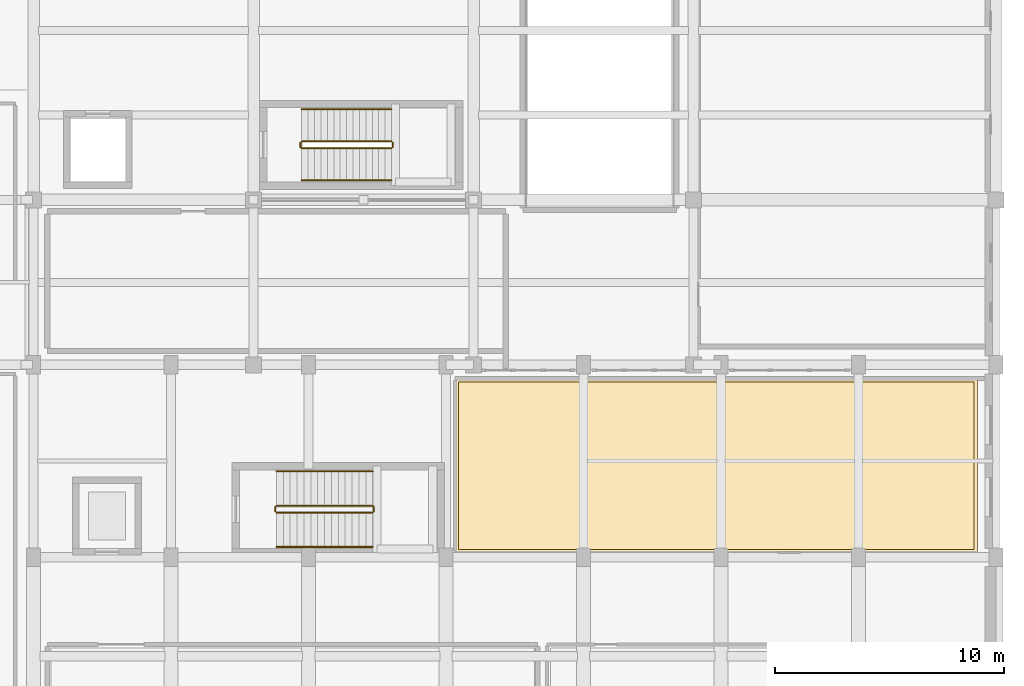
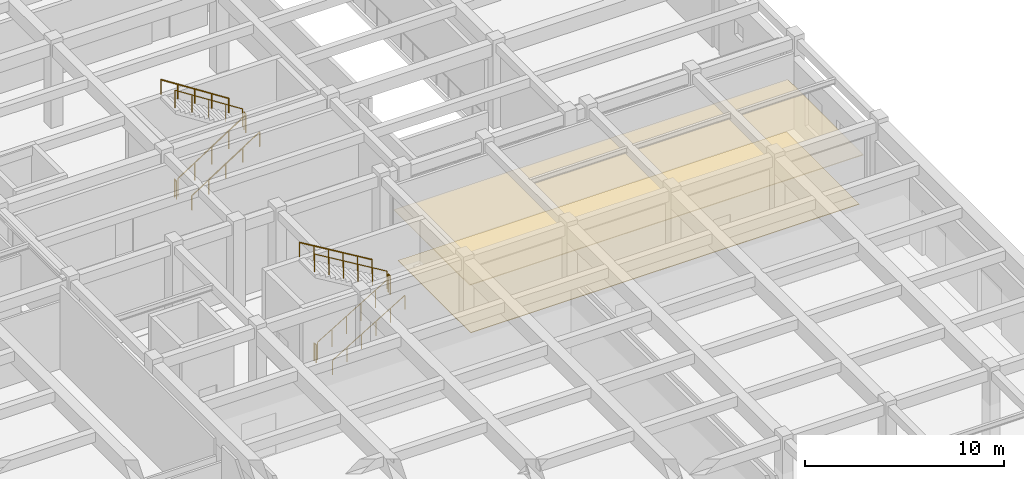
# One storey, part 96 of 98: 12 railings, 2 coverings.
"""IFC4 building model written with IfcOpenShell, lengths in metres."""

from ifc_helpers import new_model, si_unit, direction, frame, origin, origin_2d, place, context, subcontext, project, spatial, polyline, circle, outline, extrude, material, layer, layer_set, type_object, element, save


model = new_model("IFC4")

# Units and contexts
model_context = context("Model", 3, precision=1e-05, world=origin(), true_north=direction((0.0, 1.0)))
body_context = subcontext(model_context, "Body", "Model", "MODEL_VIEW")
ifc_project = project(units=[si_unit("LENGTHUNIT", "METRE"), si_unit("AREAUNIT", "SQUARE_METRE"), si_unit("VOLUMEUNIT", "CUBIC_METRE"), si_unit("PLANEANGLEUNIT", "RADIAN"), si_unit("MASSUNIT", "GRAM", prefix="KILO")], contexts=[model_context])

# Site, building, storey
site_placement = place(None, origin())
site = spatial("IfcSite", under=ifc_project, at=site_placement, CompositionType="ELEMENT")
building_placement = place(site_placement, origin())
building = spatial("IfcBuilding", under=site, at=building_placement, Name="Tarnavel Promenade Courthouse", CompositionType="ELEMENT")
storey_placement = place(building_placement, origin())
storey = spatial("IfcBuildingStorey", under=building, at=storey_placement, Name="L01", CompositionType="ELEMENT", Elevation=0.0)

# Railings
ifc_material_1 = material(Name="Brushed Bronze Tubular Stair Handrail")
railing_type_1 = type_object("IfcRailingType", Name="Brushed Bronze Tubular Stair Handrail (RL-HND-0900)", PredefinedType="HANDRAIL", material=ifc_material_1)
railing_1_placement = place(storey_placement, frame((131.699951171875, 75.25, 0.179931640625)))
element("IfcRailing", 1, at=railing_1_placement, inside=storey, type_object=railing_type_1, Name="L01 ST-06 stair handrail 1", PredefinedType="HANDRAIL", context=body_context, shape_type="SweptSolid", body=[
    extrude(circle(Radius=0.02392578125, at=origin_2d()), frame((0.0, 0.0, 0.8759765625), z_axis=(0.841186985886, 0.0, 0.540744352514), x_axis=(0.0, 1.0, 0.0)), (0.0, 0.0, 1.0), 4.660400390625),
    extrude(circle(Radius=0.02099609375, at=origin_2d()), origin(), (0.0, 0.0, 1.0), 0.851806640625),
    extrude(circle(Radius=0.02099609375, at=origin_2d()), frame((0.97998046875, 0.0, 0.6298828125)), (0.0, 0.0, 1.0), 0.851806640625),
    extrude(circle(Radius=0.02099609375, at=origin_2d()), frame((1.9599609375, 0.0, 1.260009765625)), (0.0, 0.0, 1.0), 0.851806640625),
    extrude(circle(Radius=0.02099609375, at=origin_2d()), frame((2.940185546875, 0.0, 1.89013671875)), (0.0, 0.0, 1.0), 0.851806640625),
    extrude(circle(Radius=0.02099609375, at=origin_2d()), frame((3.920166015625, 0.0, 2.52001953125)), (0.0, 0.0, 1.0), 0.851806640625),
])
railing_2_placement = place(storey_placement, frame((135.6201171875, 78.35009765625, 2.8798828125)))
element("IfcRailing", 2, at=railing_2_placement, inside=storey, type_object=railing_type_1, Name="L01 ST-06 stair handrail 2", PredefinedType="HANDRAIL", context=body_context, shape_type="SweptSolid", body=[
    extrude(circle(Radius=0.02392578125, at=origin_2d()), frame((0.0, 0.0, 0.8759765625), z_axis=(-0.841186985886, 0.0, 0.540744352514), x_axis=(0.0, -1.0, 0.0)), (0.0, 0.0, 1.0), 4.660400390625),
    extrude(circle(Radius=0.02099609375, at=origin_2d()), origin(), (0.0, 0.0, 1.0), 0.851806640625),
    extrude(circle(Radius=0.02099609375, at=origin_2d()), frame((-0.97998046875, 0.0, 0.6298828125)), (0.0, 0.0, 1.0), 0.851806640625),
    extrude(circle(Radius=0.02099609375, at=origin_2d()), frame((-1.9599609375, 0.0, 1.260009765625)), (0.0, 0.0, 1.0), 0.851806640625),
    extrude(circle(Radius=0.02099609375, at=origin_2d()), frame((-2.940185546875, 0.0, 1.89013671875)), (0.0, 0.0, 1.0), 0.851806640625),
    extrude(circle(Radius=0.02099609375, at=origin_2d()), frame((-3.920166015625, 0.0, 2.52001953125)), (0.0, 0.0, 1.0), 0.851806640625),
])
railing_3_placement = place(storey_placement, frame((130.60009765625, 59.25, 0.179931640625)))
element("IfcRailing", 3, at=railing_3_placement, inside=storey, type_object=railing_type_1, Name="L01 ST-08 stair handrail 1", PredefinedType="HANDRAIL", context=body_context, shape_type="SweptSolid", body=[
    extrude(circle(Radius=0.02392578125, at=origin_2d()), frame((0.0, 0.0, 0.8759765625), z_axis=(0.857488527567, 0.0, 0.514503085598), x_axis=(0.0, 1.0, 0.0)), (0.0, 0.0, 1.0), 4.89794921875),
    extrude(circle(Radius=0.02099609375, at=origin_2d()), origin(), (0.0, 0.0, 1.0), 0.851806640625),
    extrude(circle(Radius=0.02099609375, at=origin_2d()), frame((0.840087890625, 0.0, 0.50390625)), (0.0, 0.0, 1.0), 0.851806640625),
    extrude(circle(Radius=0.02099609375, at=origin_2d()), frame((1.679931640625, 0.0, 1.008056640625)), (0.0, 0.0, 1.0), 0.851806640625),
    extrude(circle(Radius=0.02099609375, at=origin_2d()), frame((2.52001953125, 0.0, 1.511962890625)), (0.0, 0.0, 1.0), 0.851806640625),
    extrude(circle(Radius=0.02099609375, at=origin_2d()), frame((3.35986328125, 0.0, 2.01611328125)), (0.0, 0.0, 1.0), 0.851806640625),
    extrude(circle(Radius=0.02099609375, at=origin_2d()), frame((4.199951171875, 0.0, 2.52001953125)), (0.0, 0.0, 1.0), 0.851806640625),
])
railing_4_placement = place(storey_placement, frame((134.800048828125, 62.550048828125, 2.8798828125)))
element("IfcRailing", 4, at=railing_4_placement, inside=storey, type_object=railing_type_1, Name="L01 ST-08 stair handrail 2", PredefinedType="HANDRAIL", context=body_context, shape_type="SweptSolid", body=[
    extrude(circle(Radius=0.02392578125, at=origin_2d()), frame((0.0, 0.0, 0.8759765625), z_axis=(-0.857488527567, 0.0, 0.514503085598), x_axis=(0.0, -1.0, 0.0)), (0.0, 0.0, 1.0), 4.89794921875),
    extrude(circle(Radius=0.02099609375, at=origin_2d()), origin(), (0.0, 0.0, 1.0), 0.851806640625),
    extrude(circle(Radius=0.02099609375, at=origin_2d()), frame((-0.840087890625, 0.0, 0.50390625)), (0.0, 0.0, 1.0), 0.851806640625),
    extrude(circle(Radius=0.02099609375, at=origin_2d()), frame((-1.679931640625, 0.0, 1.008056640625)), (0.0, 0.0, 1.0), 0.851806640625),
    extrude(circle(Radius=0.02099609375, at=origin_2d()), frame((-2.52001953125, 0.0, 1.511962890625)), (0.0, 0.0, 1.0), 0.851806640625),
    extrude(circle(Radius=0.02099609375, at=origin_2d()), frame((-3.35986328125, 0.0, 2.01611328125)), (0.0, 0.0, 1.0), 0.851806640625),
    extrude(circle(Radius=0.02099609375, at=origin_2d()), frame((-4.199951171875, 0.0, 2.52001953125)), (0.0, 0.0, 1.0), 0.851806640625),
])

# Coverings
ifc_material_2 = material(Name="Engineered Smoked Oak Courtroom & Chambers Parquet")
ifc_layer_1 = layer(ifc_material_2, 0.031982421875)
ifc_layer_set_1 = layer_set([ifc_layer_1], Name="Engineered Smoked Oak Courtroom & Chambers Parquet")
covering_type_1 = type_object("IfcCoveringType", Name="Engineered Smoked Oak Courtroom & Chambers Parquet (COV-FLR-OAK-32)", PredefinedType="FLOORING", material=ifc_layer_set_1)
covering_1_placement = place(storey_placement, origin())
element("IfcCovering", 5, at=covering_1_placement, inside=storey, type_object=covering_type_1, Name="L01 Ceremonial Protocol and Robing Suite Architectural Flooring 0008", PredefinedType="FLOORING", context=body_context, shape_type="SweptSolid", body=[
    extrude(outline(polyline([(138.550048828125, 59.14990234375), (161.050048828125, 59.14990234375), (161.050048828125, 66.449951171875), (138.550048828125, 66.449951171875), (138.550048828125, 59.14990234375)])), origin(), (0.0, 0.0, 1.0), 0.031982421875),
])
ifc_material_3 = material(Name="Micro-Perforated Acoustic Mineral-Fibre Ceiling")
ifc_layer_2 = layer(ifc_material_3, 0.044921875)
ifc_layer_set_2 = layer_set([ifc_layer_2], Name="Micro-Perforated Acoustic Mineral-Fibre Ceiling")
covering_type_2 = type_object("IfcCoveringType", Name="Micro-Perforated Acoustic Mineral-Fibre Ceiling (COV-CLG-MIN-45)", PredefinedType="CEILING", material=ifc_layer_set_2)
covering_2_placement = place(storey_placement, frame((0.0, 0.0, 3.054931640625)))
element("IfcCovering", 6, at=covering_2_placement, inside=storey, type_object=covering_type_2, Name="L01 Ceremonial Protocol and Robing Suite Acoustic Ceiling 0008", PredefinedType="CEILING", context=body_context, shape_type="SweptSolid", body=[
    extrude(outline(polyline([(138.39990234375, 59.0), (161.199951171875, 59.0), (161.199951171875, 66.60009765625), (138.39990234375, 66.60009765625), (138.39990234375, 59.0)])), origin(), (0.0, 0.0, 1.0), 0.045166015625),
])

# Railings
ifc_material_4 = material(Name="Painted Architectural Steel Core Stair Guardrail", Category="steel")
railing_type_2 = type_object("IfcRailingType", Name="Painted Architectural Steel Core Stair Guardrail (RL-GRD-1100)", PredefinedType="GUARDRAIL", material=ifc_material_4)
railing_5_placement = place(storey_placement, frame((131.699951171875, 76.64990234375, 0.179931640625)))
element("IfcRailing", 7, at=railing_5_placement, inside=storey, type_object=railing_type_2, Name="L01 ST-06 stair guard 1", PredefinedType="GUARDRAIL", context=body_context, shape_type="SweptSolid", body=[
    extrude(circle(Radius=0.02392578125, at=origin_2d()), frame((0.0, 0.0, 1.076171875), z_axis=(0.841186985886, 0.0, 0.540744352514), x_axis=(0.0, 1.0, 0.0)), (0.0, 0.0, 1.0), 4.660400390625),
    extrude(circle(Radius=0.02099609375, at=origin_2d()), origin(), (0.0, 0.0, 1.0), 1.052001953125),
    extrude(circle(Radius=0.02099609375, at=origin_2d()), frame((0.97998046875, 0.0, 0.6298828125)), (0.0, 0.0, 1.0), 1.052001953125),
    extrude(circle(Radius=0.02099609375, at=origin_2d()), frame((1.9599609375, 0.0, 1.260009765625)), (0.0, 0.0, 1.0), 1.052001953125),
    extrude(circle(Radius=0.02099609375, at=origin_2d()), frame((2.940185546875, 0.0, 1.89013671875)), (0.0, 0.0, 1.0), 1.052001953125),
    extrude(circle(Radius=0.02099609375, at=origin_2d()), frame((3.920166015625, 0.0, 2.52001953125)), (0.0, 0.0, 1.0), 1.052001953125),
])
railing_6_placement = place(storey_placement, frame((135.669921875, 76.699951171875, 2.699951171875)))
element("IfcRailing", 8, at=railing_6_placement, inside=storey, type_object=railing_type_2, Name="L01 ST-06 stair guard 2", PredefinedType="GUARDRAIL", context=body_context, shape_type="SweptSolid", body=[
    extrude(circle(Radius=0.02392578125, at=origin_2d()), frame((0.0, 0.0, 1.076171875), z_axis=(0.0, 1.0, 0.0), x_axis=(-1.0, 0.0, 0.0)), (0.0, 0.0, 1.0), 0.199951171875),
    extrude(circle(Radius=0.02099609375, at=origin_2d()), origin(), (0.0, 0.0, 1.0), 1.052001953125),
    extrude(circle(Radius=0.02099609375, at=origin_2d()), frame((0.0, 0.199951171875, 0.0)), (0.0, 0.0, 1.0), 1.052001953125),
])
railing_7_placement = place(storey_placement, frame((135.6201171875, 76.949951171875, 2.8798828125)))
element("IfcRailing", 9, at=railing_7_placement, inside=storey, type_object=railing_type_2, Name="L01 ST-06 stair guard 3", PredefinedType="GUARDRAIL", context=body_context, shape_type="SweptSolid", body=[
    extrude(circle(Radius=0.02392578125, at=origin_2d()), frame((0.0, 0.0, 1.076171875), z_axis=(-0.841186985886, 0.0, 0.540744352514), x_axis=(0.0, -1.0, 0.0)), (0.0, 0.0, 1.0), 4.660400390625),
    extrude(circle(Radius=0.02099609375, at=origin_2d()), origin(), (0.0, 0.0, 1.0), 1.052001953125),
    extrude(circle(Radius=0.02099609375, at=origin_2d()), frame((-0.97998046875, 0.0, 0.6298828125)), (0.0, 0.0, 1.0), 1.052001953125),
    extrude(circle(Radius=0.02099609375, at=origin_2d()), frame((-1.9599609375, 0.0, 1.260009765625)), (0.0, 0.0, 1.0), 1.052001953125),
    extrude(circle(Radius=0.02099609375, at=origin_2d()), frame((-2.940185546875, 0.0, 1.89013671875)), (0.0, 0.0, 1.0), 1.052001953125),
    extrude(circle(Radius=0.02099609375, at=origin_2d()), frame((-3.920166015625, 0.0, 2.52001953125)), (0.0, 0.0, 1.0), 1.052001953125),
])
railing_8_placement = place(storey_placement, frame((131.64990234375, 76.699951171875, 0.0)))
element("IfcRailing", 10, at=railing_8_placement, inside=storey, type_object=railing_type_2, Name="L01 ST-06 stair guard 4", PredefinedType="GUARDRAIL", context=body_context, shape_type="SweptSolid", body=[
    extrude(circle(Radius=0.02392578125, at=origin_2d()), frame((0.0, 0.0, 1.076171875), z_axis=(0.0, 1.0, 0.0), x_axis=(-1.0, 0.0, 0.0)), (0.0, 0.0, 1.0), 0.199951171875),
    extrude(circle(Radius=0.02099609375, at=origin_2d()), origin(), (0.0, 0.0, 1.0), 1.052001953125),
    extrude(circle(Radius=0.02099609375, at=origin_2d()), frame((0.0, 0.199951171875, 0.0)), (0.0, 0.0, 1.0), 1.052001953125),
])
railing_9_placement = place(storey_placement, frame((130.60009765625, 60.75, 0.179931640625)))
element("IfcRailing", 11, at=railing_9_placement, inside=storey, type_object=railing_type_2, Name="L01 ST-08 stair guard 1", PredefinedType="GUARDRAIL", context=body_context, shape_type="SweptSolid", body=[
    extrude(circle(Radius=0.02392578125, at=origin_2d()), frame((0.0, 0.0, 1.076171875), z_axis=(0.857488527567, 0.0, 0.514503085598), x_axis=(0.0, 1.0, 0.0)), (0.0, 0.0, 1.0), 4.89794921875),
    extrude(circle(Radius=0.02099609375, at=origin_2d()), origin(), (0.0, 0.0, 1.0), 1.052001953125),
    extrude(circle(Radius=0.02099609375, at=origin_2d()), frame((0.840087890625, 0.0, 0.50390625)), (0.0, 0.0, 1.0), 1.052001953125),
    extrude(circle(Radius=0.02099609375, at=origin_2d()), frame((1.679931640625, 0.0, 1.008056640625)), (0.0, 0.0, 1.0), 1.052001953125),
    extrude(circle(Radius=0.02099609375, at=origin_2d()), frame((2.52001953125, 0.0, 1.511962890625)), (0.0, 0.0, 1.0), 1.052001953125),
    extrude(circle(Radius=0.02099609375, at=origin_2d()), frame((3.35986328125, 0.0, 2.01611328125)), (0.0, 0.0, 1.0), 1.052001953125),
    extrude(circle(Radius=0.02099609375, at=origin_2d()), frame((4.199951171875, 0.0, 2.52001953125)), (0.0, 0.0, 1.0), 1.052001953125),
])
railing_10_placement = place(storey_placement, frame((134.85009765625, 60.800048828125, 2.699951171875)))
element("IfcRailing", 12, at=railing_10_placement, inside=storey, type_object=railing_type_2, Name="L01 ST-08 stair guard 2", PredefinedType="GUARDRAIL", context=body_context, shape_type="SweptSolid", body=[
    extrude(circle(Radius=0.02392578125, at=origin_2d()), frame((0.0, 0.0, 1.076171875), z_axis=(0.0, 1.0, 0.0), x_axis=(-1.0, 0.0, 0.0)), (0.0, 0.0, 1.0), 0.199951171875),
    extrude(circle(Radius=0.02099609375, at=origin_2d()), origin(), (0.0, 0.0, 1.0), 1.052001953125),
    extrude(circle(Radius=0.02099609375, at=origin_2d()), frame((0.0, 0.199951171875, 0.0)), (0.0, 0.0, 1.0), 1.052001953125),
])
railing_11_placement = place(storey_placement, frame((134.800048828125, 61.050048828125, 2.8798828125)))
element("IfcRailing", 13, at=railing_11_placement, inside=storey, type_object=railing_type_2, Name="L01 ST-08 stair guard 3", PredefinedType="GUARDRAIL", context=body_context, shape_type="SweptSolid", body=[
    extrude(circle(Radius=0.02392578125, at=origin_2d()), frame((0.0, 0.0, 1.076171875), z_axis=(-0.857488527567, 0.0, 0.514503085598), x_axis=(0.0, -1.0, 0.0)), (0.0, 0.0, 1.0), 4.89794921875),
    extrude(circle(Radius=0.02099609375, at=origin_2d()), origin(), (0.0, 0.0, 1.0), 1.052001953125),
    extrude(circle(Radius=0.02099609375, at=origin_2d()), frame((-0.840087890625, 0.0, 0.50390625)), (0.0, 0.0, 1.0), 1.052001953125),
    extrude(circle(Radius=0.02099609375, at=origin_2d()), frame((-1.679931640625, 0.0, 1.008056640625)), (0.0, 0.0, 1.0), 1.052001953125),
    extrude(circle(Radius=0.02099609375, at=origin_2d()), frame((-2.52001953125, 0.0, 1.511962890625)), (0.0, 0.0, 1.0), 1.052001953125),
    extrude(circle(Radius=0.02099609375, at=origin_2d()), frame((-3.35986328125, 0.0, 2.01611328125)), (0.0, 0.0, 1.0), 1.052001953125),
    extrude(circle(Radius=0.02099609375, at=origin_2d()), frame((-4.199951171875, 0.0, 2.52001953125)), (0.0, 0.0, 1.0), 1.052001953125),
])
railing_12_placement = place(storey_placement, frame((130.550048828125, 60.800048828125, 0.0)))
element("IfcRailing", 14, at=railing_12_placement, inside=storey, type_object=railing_type_2, Name="L01 ST-08 stair guard 4", PredefinedType="GUARDRAIL", context=body_context, shape_type="SweptSolid", body=[
    extrude(circle(Radius=0.02392578125, at=origin_2d()), frame((0.0, 0.0, 1.076171875), z_axis=(0.0, 1.0, 0.0), x_axis=(-1.0, 0.0, 0.0)), (0.0, 0.0, 1.0), 0.199951171875),
    extrude(circle(Radius=0.02099609375, at=origin_2d()), origin(), (0.0, 0.0, 1.0), 1.052001953125),
    extrude(circle(Radius=0.02099609375, at=origin_2d()), frame((0.0, 0.199951171875, 0.0)), (0.0, 0.0, 1.0), 1.052001953125),
])

save(model, "model.ifc")
